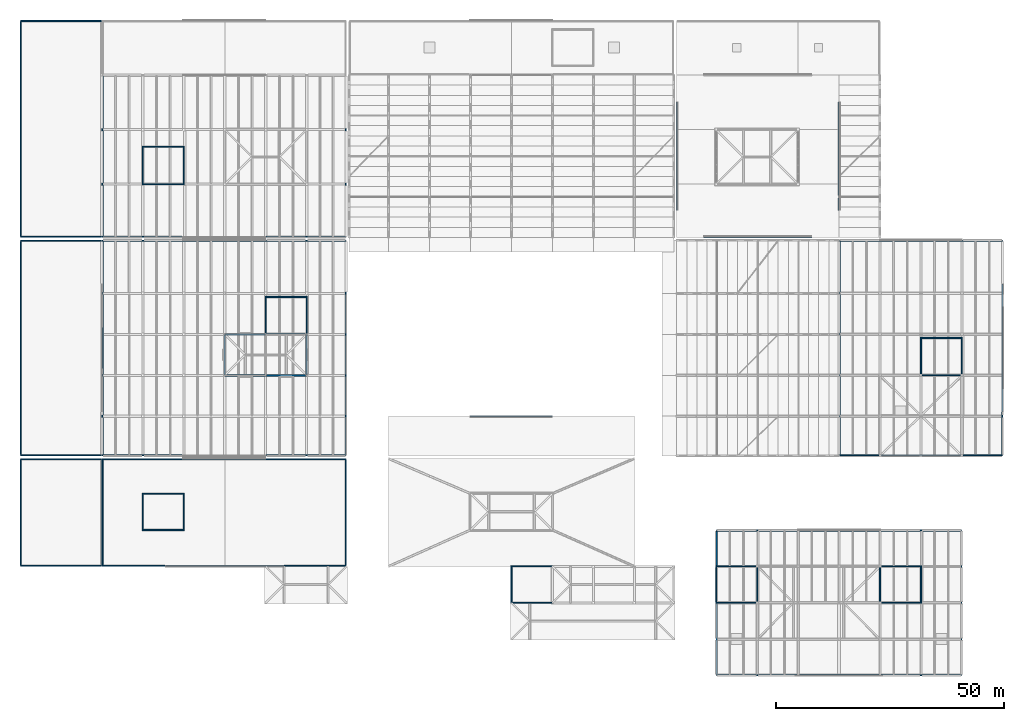
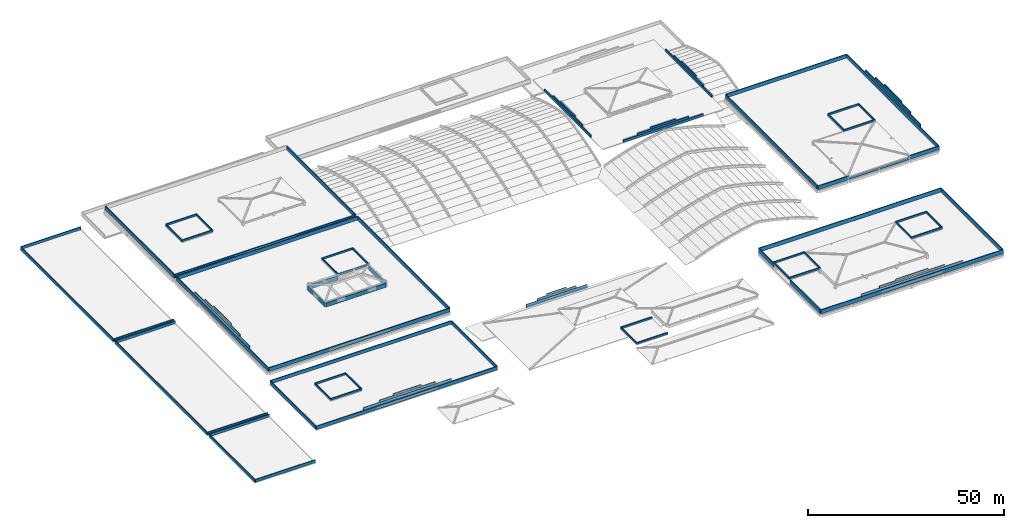
# One storey, part 54 of 56: 87 walls.
"""IFC4 building model written with IfcOpenShell, lengths in metres."""

import ifcopenshell
import ifcopenshell.guid

model = None  # the IFC model being written
_history = None  # IfcOwnerHistory: only IFC2X3 demands one
_inside = {}  # id of a spatial element -> (the spatial element, [elements in it])
_under = {}  # id of a project, library or spatial element -> (it, [spatial elements below it])
_declared = {}  # id of a project -> (the project, [libraries it declares])
_typed = {}  # id of a type object -> (the type object, [elements of that type])
_made_of = {}  # id of a material, layer set ... -> (it, [elements and type objects made of it])


def new_model(schema):
    """Start an empty IFC model of exactly this schema.

    Asked for "IFC4X3", IfcOpenShell would pick the latest addendum, in which some entities
    have other attributes; the version numbers below select the first issue.
    IFC2X3 requires an IfcOwnerHistory on every rooted entity: one is made here for all.
    """
    global model, _history
    if schema == "IFC4X3":
        model = ifcopenshell.file(schema_version=(4, 3, 0, 0))
    else:
        model = ifcopenshell.file(schema=schema)
    _inside.clear()
    _under.clear()
    _declared.clear()
    _typed.clear()
    _made_of.clear()
    _history = None
    if model.schema == "IFC2X3":
        org = make("IfcOrganization", Name="unknown")
        user = make(
            "IfcPersonAndOrganization",
            ThePerson=make("IfcPerson", FamilyName="unknown"),
            TheOrganization=org,
        )
        app = make(
            "IfcApplication",
            ApplicationDeveloper=org,
            Version="unknown",
            ApplicationFullName="unknown",
            ApplicationIdentifier="unknown",
        )
        _history = make(
            "IfcOwnerHistory",
            OwningUser=user,
            OwningApplication=app,
            ChangeAction="ADDED",
            CreationDate=0,
        )
    return model


def make(cls, **values):
    """One entity of the class cls with the attributes given. An attribute that is None is left unset."""
    return model.create_entity(
        cls, **{name: value for name, value in values.items() if value is not None}
    )


def rooted(cls, **values):
    """An entity with a GlobalId (a new one), such as an element, a storey or a relation."""
    return make(cls, GlobalId=ifcopenshell.guid.new(), OwnerHistory=_history, **values)


def si_unit(unit_type, name, prefix=None):
    """IfcSIUnit, for example si_unit("LENGTHUNIT", "METRE", prefix="MILLI")."""
    return make("IfcSIUnit", UnitType=unit_type, Prefix=prefix, Name=name)


def assignment(units):
    """IfcUnitAssignment: the units of a project."""
    return None if units is None else make("IfcUnitAssignment", Units=units)


def point(xyz):
    """IfcCartesianPoint."""
    return None if xyz is None else make("IfcCartesianPoint", Coordinates=xyz)


def direction(xyz):
    """IfcDirection."""
    return None if xyz is None else make("IfcDirection", DirectionRatios=xyz)


def frame(location, z_axis=None, x_axis=None):
    """IfcAxis2Placement3D, a coordinate frame: its origin and axes. An axis left out is left unset."""
    return make(
        "IfcAxis2Placement3D",
        Location=point(location),
        Axis=direction(z_axis),
        RefDirection=direction(x_axis),
    )


def frame_2d(location, x_axis=None):
    """IfcAxis2Placement2D, a coordinate frame in the plane: its origin and x axis."""
    return make(
        "IfcAxis2Placement2D", Location=point(location), RefDirection=direction(x_axis)
    )


def origin():
    """The frame at (0, 0, 0) with its axes left unset."""
    return frame((0.0, 0.0, 0.0))


def place(relative_to, where):
    """IfcLocalPlacement: puts the frame where relative to a parent placement (None: the world)."""
    return make(
        "IfcLocalPlacement", PlacementRelTo=relative_to, RelativePlacement=where
    )


def context(
    kind, dimensions, precision=None, world=None, true_north=None, identifier=None
):
    """IfcGeometricRepresentationContext, for example the 3D "Model" context."""
    return make(
        "IfcGeometricRepresentationContext",
        ContextIdentifier=identifier,
        ContextType=kind,
        CoordinateSpaceDimension=dimensions,
        Precision=precision,
        WorldCoordinateSystem=world,
        TrueNorth=true_north,
    )


def subcontext(parent, identifier, kind, view, scale=None):
    """IfcGeometricRepresentationSubContext, for example "Body" below "Model"."""
    return make(
        "IfcGeometricRepresentationSubContext",
        ContextIdentifier=identifier,
        ContextType=kind,
        ParentContext=parent,
        TargetScale=scale,
        TargetView=view,
    )


def project(units=None, contexts=None):
    """IfcProject with its units and contexts."""
    return rooted(
        "IfcProject",
        Name="project",
        RepresentationContexts=contexts,
        UnitsInContext=assignment(units),
    )


def spatial(cls, under=None, at=None, **own):
    """A site, building, storey or space (cls), placed at a placement, below another one or the project."""
    s = rooted(cls, ObjectPlacement=at, **own)
    if under is not None:
        _under.setdefault(under.id(), (under, []))[1].append(s)
    return s


def profile(cls, at=None, kind="AREA", **sizes):
    """A parametric profile (cls). Its sizes go by their IFC names, for example OverallWidth=200.0."""
    return make(cls, ProfileType=kind, Position=at, **sizes)


def rectangle(**sizes):
    """IfcRectangleProfileDef."""
    return profile("IfcRectangleProfileDef", **sizes)


def extrude(swept, where, along, depth):
    """IfcExtrudedAreaSolid: the profile swept, set in the frame where, extruded along a direction by depth."""
    return make(
        "IfcExtrudedAreaSolid",
        SweptArea=swept,
        Position=where,
        ExtrudedDirection=direction(along),
        Depth=depth,
    )


def shape(context_of_items, identifier, shape_type, items):
    """IfcShapeRepresentation: the items that make up one representation, for example the "Body"."""
    return make(
        "IfcShapeRepresentation",
        ContextOfItems=context_of_items,
        RepresentationIdentifier=identifier,
        RepresentationType=shape_type,
        Items=items,
    )


def material(Name=None, Category=None):
    """IfcMaterial."""
    return make("IfcMaterial", Name=Name, Category=Category)


def layer(
    of_material, thickness, ventilated=None, Name=None, Category=None, Priority=None
):
    """IfcMaterialLayer: one layer of a wall or slab, of a material (None: an air gap)."""
    return make(
        "IfcMaterialLayer",
        Material=of_material,
        LayerThickness=thickness,
        IsVentilated=ventilated,
        Name=Name,
        Category=Category,
        Priority=Priority,
    )


def layer_set(layers, Name=None):
    """IfcMaterialLayerSet."""
    return make("IfcMaterialLayerSet", MaterialLayers=layers, LayerSetName=Name)


def made_of(thing, what):
    """Note that an element or type object is made of a material, layer set ...; save() writes the relation."""
    if what is not None:
        _made_of.setdefault(what.id(), (what, []))[1].append(thing)
    return thing


def type_object(cls, material=None, **own):
    """A type object (cls), such as IfcWallType, which elements share."""
    return made_of(rooted(cls, **own), material)


def element(
    cls,
    number,
    at=None,
    inside=None,
    cuts=None,
    type_object=None,
    material=None,
    context=None,
    identifier="Body",
    shape_type=None,
    held_by="IfcProductDefinitionShape",
    body=None,
    shapes=None,
    **own,
):
    """One element of the class cls, such as IfcWall. Its Tag is "e" and its number.

    at: its placement. inside: the storey or other place that contains it. cuts: it is an
    opening in that element (IfcRelVoidsElement). A single representation is given by context,
    identifier, shape_type and body (its items); several are given by shapes. held_by: the class
    of the entity that holds the representations. save() writes the other relations.
    """
    e = rooted(cls, Tag="e%d" % number, ObjectPlacement=at, **own)
    if body is not None:
        shapes = [shape(context, identifier, shape_type, body)]
    if shapes is not None:
        e.Representation = make(held_by, Representations=shapes)
    if inside is not None:
        _inside.setdefault(inside.id(), (inside, []))[1].append(e)
    if cuts is not None:
        rooted(
            "IfcRelVoidsElement", RelatingBuildingElement=cuts, RelatedOpeningElement=e
        )
    if type_object is not None:
        _typed.setdefault(type_object.id(), (type_object, []))[1].append(e)
    return made_of(e, material)


def aggregate(whole, parts):
    """IfcRelAggregates: a whole, such as a stair, and the parts it consists of."""
    return rooted("IfcRelAggregates", RelatingObject=whole, RelatedObjects=parts)


def save(model, path):
    """Write the relations noted so far, then the file.

    IfcRelAggregates (storeys below a building ...), IfcRelContainedInSpatialStructure (elements
    in a storey), IfcRelDefinesByType, IfcRelAssociatesMaterial and IfcRelDeclares: one each for
    every whole, place, type object, material and project.
    """
    for whole, parts in _under.values():
        aggregate(whole, parts)
    for where, things in _inside.values():
        rooted(
            "IfcRelContainedInSpatialStructure",
            RelatedElements=things,
            RelatingStructure=where,
        )
    for kind, things in _typed.values():
        rooted("IfcRelDefinesByType", RelatedObjects=things, RelatingType=kind)
    for what, things in _made_of.values():
        rooted("IfcRelAssociatesMaterial", RelatedObjects=things, RelatingMaterial=what)
    for by, libraries in _declared.values():
        rooted("IfcRelDeclares", RelatingContext=by, RelatedDefinitions=libraries)
    model.write(path)


model = new_model("IFC4")

# Units and contexts
model_context = context("Model", 3, precision=1e-05, world=origin(), true_north=direction((0.0, 1.0)))
body_context = subcontext(model_context, "Body", "Model", "MODEL_VIEW")
ifc_project = project(units=[si_unit("LENGTHUNIT", "METRE"), si_unit("AREAUNIT", "SQUARE_METRE"), si_unit("VOLUMEUNIT", "CUBIC_METRE"), si_unit("PLANEANGLEUNIT", "RADIAN"), si_unit("MASSUNIT", "GRAM", prefix="KILO")], contexts=[model_context])

# Site, building, storey
site_placement = place(None, origin())
site = spatial("IfcSite", under=ifc_project, at=site_placement, CompositionType="ELEMENT")
building_placement = place(site_placement, origin())
building = spatial("IfcBuilding", under=site, at=building_placement, Name="Zacnel Wholesale Market", CompositionType="ELEMENT")
storey_placement = place(building_placement, frame((0.0, 0.0, 20.300048828125)))
storey = spatial("IfcBuildingStorey", under=building, at=storey_placement, Name="RF", CompositionType="ELEMENT", Elevation=20.300048828125)

# Walls
ifc_material_1 = material(Name="Concrete C40/50", Category="concrete")
ifc_layer_1 = layer(ifc_material_1, 0.25)
ifc_layer_set_1 = layer_set([ifc_layer_1], Name="Concrete C40/50")
wall_type_1 = type_object("IfcWallType", Name="WL-CORE-SW250", PredefinedType="SOLIDWALL", material=ifc_layer_set_1)
for number, where, z_axis, x_axis, name in (
    (1, (152.875, 16.0, 1.25), (0.0, 0.0, 1.0), (1.0, 0.0, 0.0), "Core C1 Mayan-Deco bulkhead crown S"),
    (2, (152.875, 24.0, 1.25), (0.0, 0.0, 1.0), (1.0, 0.0, 0.0), "Core C1 Mayan-Deco bulkhead crown N"),
):
    element("IfcWall", number, at=place(storey_placement, frame(where, z_axis=z_axis, x_axis=x_axis)), inside=storey, type_object=wall_type_1, Name=name, PredefinedType="SOLIDWALL", context=body_context, shape_type="SweptSolid", body=[
        extrude(rectangle(XDim=9.25, YDim=0.25, at=frame_2d((4.625, 0.0))), origin(), (0.0, 0.0, 1.0), 0.550048828125),
    ])
for number, where, z_axis, x_axis, name in (
    (3, (153.0, 16.125, 1.25), (0.0, 0.0, 1.0), (0.0, 1.0, 0.0), "Core C1 Mayan-Deco bulkhead crown W"),
    (4, (162.0, 16.125, 1.25), (0.0, 0.0, 1.0), (0.0, 1.0, 0.0), "Core C1 Mayan-Deco bulkhead crown E"),
):
    element("IfcWall", number, at=place(storey_placement, frame(where, z_axis=z_axis, x_axis=x_axis)), inside=storey, type_object=wall_type_1, Name=name, PredefinedType="SOLIDWALL", context=body_context, shape_type="SweptSolid", body=[
        extrude(rectangle(XDim=7.75, YDim=0.25, at=frame_2d((3.875, 0.0))), origin(), (0.0, 0.0, 1.0), 0.550048828125),
    ])
for number, where, z_axis, x_axis, name in (
    (5, (188.875, 16.0, 1.25), (0.0, 0.0, 1.0), (1.0, 0.0, 0.0), "Core C2 Mayan-Deco bulkhead crown S"),
    (6, (188.875, 24.0, 1.25), (0.0, 0.0, 1.0), (1.0, 0.0, 0.0), "Core C2 Mayan-Deco bulkhead crown N"),
):
    element("IfcWall", number, at=place(storey_placement, frame(where, z_axis=z_axis, x_axis=x_axis)), inside=storey, type_object=wall_type_1, Name=name, PredefinedType="SOLIDWALL", context=body_context, shape_type="SweptSolid", body=[
        extrude(rectangle(XDim=9.25, YDim=0.25, at=frame_2d((4.625, 0.0))), origin(), (0.0, 0.0, 1.0), 0.550048828125),
    ])
for number, where, z_axis, x_axis, name in (
    (7, (189.0, 16.125, 1.25), (0.0, 0.0, 1.0), (0.0, 1.0, 0.0), "Core C2 Mayan-Deco bulkhead crown W"),
    (8, (198.0, 16.125, 1.25), (0.0, 0.0, 1.0), (0.0, 1.0, 0.0), "Core C2 Mayan-Deco bulkhead crown E"),
):
    element("IfcWall", number, at=place(storey_placement, frame(where, z_axis=z_axis, x_axis=x_axis)), inside=storey, type_object=wall_type_1, Name=name, PredefinedType="SOLIDWALL", context=body_context, shape_type="SweptSolid", body=[
        extrude(rectangle(XDim=7.75, YDim=0.25, at=frame_2d((3.875, 0.0))), origin(), (0.0, 0.0, 1.0), 0.550048828125),
    ])
for number, where, z_axis, x_axis, name in (
    (9, (26.875, 32.0, -2.10009765625), (0.0, 0.0, 1.0), (1.0, 0.0, 0.0), "Core C3 Mayan-Deco bulkhead crown S"),
    (10, (26.875, 40.0, -2.10009765625), (0.0, 0.0, 1.0), (1.0, 0.0, 0.0), "Core C3 Mayan-Deco bulkhead crown N"),
):
    element("IfcWall", number, at=place(storey_placement, frame(where, z_axis=z_axis, x_axis=x_axis)), inside=storey, type_object=wall_type_1, Name=name, PredefinedType="SOLIDWALL", context=body_context, shape_type="SweptSolid", body=[
        extrude(rectangle(XDim=9.25, YDim=0.25, at=frame_2d((4.625, 0.0))), origin(), (0.0, 0.0, 1.0), 0.550048828125),
    ])
for number, where, z_axis, x_axis, name in (
    (11, (27.0, 32.125, -2.10009765625), (0.0, 0.0, 1.0), (0.0, 1.0, 0.0), "Core C3 Mayan-Deco bulkhead crown W"),
    (12, (36.0, 32.125, -2.10009765625), (0.0, 0.0, 1.0), (0.0, 1.0, 0.0), "Core C3 Mayan-Deco bulkhead crown E"),
):
    element("IfcWall", number, at=place(storey_placement, frame(where, z_axis=z_axis, x_axis=x_axis)), inside=storey, type_object=wall_type_1, Name=name, PredefinedType="SOLIDWALL", context=body_context, shape_type="SweptSolid", body=[
        extrude(rectangle(XDim=7.75, YDim=0.25, at=frame_2d((3.875, 0.0))), origin(), (0.0, 0.0, 1.0), 0.550048828125),
    ])
for number, where, z_axis, x_axis, name in (
    (13, (53.875, 75.0, 1.25), (0.0, 0.0, 1.0), (1.0, 0.0, 0.0), "Core C4 Mayan-Deco bulkhead crown S"),
    (14, (53.875, 83.199951171875, 1.25), (0.0, 0.0, 1.0), (1.0, 0.0, 0.0), "Core C4 Mayan-Deco bulkhead crown N"),
):
    element("IfcWall", number, at=place(storey_placement, frame(where, z_axis=z_axis, x_axis=x_axis)), inside=storey, type_object=wall_type_1, Name=name, PredefinedType="SOLIDWALL", context=body_context, shape_type="SweptSolid", body=[
        extrude(rectangle(XDim=9.25, YDim=0.25, at=frame_2d((4.625, 0.0))), origin(), (0.0, 0.0, 1.0), 0.550048828125),
    ])
for number, where, z_axis, x_axis, name in (
    (15, (54.0, 75.125, 1.25), (0.0, 0.0, 1.0), (0.0, 1.0, 0.0), "Core C4 Mayan-Deco bulkhead crown W"),
    (16, (63.0, 75.125, 1.25), (0.0, 0.0, 1.0), (0.0, 1.0, 0.0), "Core C4 Mayan-Deco bulkhead crown E"),
):
    element("IfcWall", number, at=place(storey_placement, frame(where, z_axis=z_axis, x_axis=x_axis)), inside=storey, type_object=wall_type_1, Name=name, PredefinedType="SOLIDWALL", context=body_context, shape_type="SweptSolid", body=[
        extrude(rectangle(XDim=7.949951171875, YDim=0.25, at=frame_2d((3.97509765625, 0.0))), origin(), (0.0, 0.0, 1.0), 0.550048828125),
    ])
for number, where, z_axis, x_axis, name in (
    (17, (26.875, 108.0, 1.25), (0.0, 0.0, 1.0), (1.0, 0.0, 0.0), "Core C5 Mayan-Deco bulkhead crown S"),
    (18, (26.875, 116.199951171875, 1.25), (0.0, 0.0, 1.0), (1.0, 0.0, 0.0), "Core C5 Mayan-Deco bulkhead crown N"),
):
    element("IfcWall", number, at=place(storey_placement, frame(where, z_axis=z_axis, x_axis=x_axis)), inside=storey, type_object=wall_type_1, Name=name, PredefinedType="SOLIDWALL", context=body_context, shape_type="SweptSolid", body=[
        extrude(rectangle(XDim=9.25, YDim=0.25, at=frame_2d((4.625, 0.0))), origin(), (0.0, 0.0, 1.0), 0.550048828125),
    ])
for number, where, z_axis, x_axis, name in (
    (19, (27.0, 108.125, 1.25), (0.0, 0.0, 1.0), (0.0, 1.0, 0.0), "Core C5 Mayan-Deco bulkhead crown W"),
    (20, (36.0, 108.125, 1.25), (0.0, 0.0, 1.0), (0.0, 1.0, 0.0), "Core C5 Mayan-Deco bulkhead crown E"),
):
    element("IfcWall", number, at=place(storey_placement, frame(where, z_axis=z_axis, x_axis=x_axis)), inside=storey, type_object=wall_type_1, Name=name, PredefinedType="SOLIDWALL", context=body_context, shape_type="SweptSolid", body=[
        extrude(rectangle(XDim=7.949951171875, YDim=0.25, at=frame_2d((3.97509765625, 0.0))), origin(), (0.0, 0.0, 1.0), 0.550048828125),
    ])
for number, where, z_axis, x_axis, name in (
    (21, (197.875, 66.0, 1.25), (0.0, 0.0, 1.0), (1.0, 0.0, 0.0), "Core C7 Mayan-Deco bulkhead crown S"),
    (22, (197.875, 74.199951171875, 1.25), (0.0, 0.0, 1.0), (1.0, 0.0, 0.0), "Core C7 Mayan-Deco bulkhead crown N"),
):
    element("IfcWall", number, at=place(storey_placement, frame(where, z_axis=z_axis, x_axis=x_axis)), inside=storey, type_object=wall_type_1, Name=name, PredefinedType="SOLIDWALL", context=body_context, shape_type="SweptSolid", body=[
        extrude(rectangle(XDim=9.25, YDim=0.25, at=frame_2d((4.625, 0.0))), origin(), (0.0, 0.0, 1.0), 0.550048828125),
    ])
for number, where, z_axis, x_axis, name in (
    (23, (198.0, 66.125, 1.25), (0.0, 0.0, 1.0), (0.0, 1.0, 0.0), "Core C7 Mayan-Deco bulkhead crown W"),
    (24, (207.0, 66.125, 1.25), (0.0, 0.0, 1.0), (0.0, 1.0, 0.0), "Core C7 Mayan-Deco bulkhead crown E"),
):
    element("IfcWall", number, at=place(storey_placement, frame(where, z_axis=z_axis, x_axis=x_axis)), inside=storey, type_object=wall_type_1, Name=name, PredefinedType="SOLIDWALL", context=body_context, shape_type="SweptSolid", body=[
        extrude(rectangle(XDim=7.949951171875, YDim=0.25, at=frame_2d((3.97509765625, 0.0))), origin(), (0.0, 0.0, 1.0), 0.550048828125),
    ])
for number, where, z_axis, x_axis, name in (
    (25, (107.875, 16.0, -3.300048828125), (0.0, 0.0, 1.0), (1.0, 0.0, 0.0), "Core C8 Mayan-Deco bulkhead crown S"),
    (26, (107.875, 24.0, -3.300048828125), (0.0, 0.0, 1.0), (1.0, 0.0, 0.0), "Core C8 Mayan-Deco bulkhead crown N"),
):
    element("IfcWall", number, at=place(storey_placement, frame(where, z_axis=z_axis, x_axis=x_axis)), inside=storey, type_object=wall_type_1, Name=name, PredefinedType="SOLIDWALL", context=body_context, shape_type="SweptSolid", body=[
        extrude(rectangle(XDim=9.25, YDim=0.25, at=frame_2d((4.625, 0.0))), origin(), (0.0, 0.0, 1.0), 0.550048828125),
    ])
wall_1_placement = place(storey_placement, frame((108.0, 16.125, -3.300048828125), z_axis=(0.0, 0.0, 1.0), x_axis=(0.0, 1.0, 0.0)))
element("IfcWall", 27, at=wall_1_placement, inside=storey, type_object=wall_type_1, Name="Core C8 Mayan-Deco bulkhead crown W", PredefinedType="SOLIDWALL", context=body_context, shape_type="SweptSolid", body=[
    extrude(rectangle(XDim=7.75, YDim=0.25, at=frame_2d((3.875, 0.0))), origin(), (0.0, 0.0, 1.0), 0.550048828125),
])
ifc_material_2 = material(Name="Precast concrete C40/50 (insulated sandwich panel)", Category="concrete")
ifc_layer_2 = layer(ifc_material_2, 0.320068359375)
ifc_layer_set_2 = layer_set([ifc_layer_2], Name="Precast concrete C40/50 (insulated sandwich panel)")
wall_type_2 = type_object("IfcWallType", Name="WL-EXT-COLD-320", PredefinedType="SOLIDWALL", material=ifc_layer_set_2)
for number, where, z_axis, x_axis, name in (
    (28, (45.125, 66.0, 0.0), (0.0, 0.0, 1.0), (1.0, 0.0, 0.0), "Refrigeration penthouse enclosure wall S1"),
    (29, (54.125, 66.0, 0.0), (0.0, 0.0, 1.0), (1.0, 0.0, 0.0), "Refrigeration penthouse enclosure wall S2"),
    (30, (45.125, 75.0, 0.0), (0.0, 0.0, 1.0), (1.0, 0.0, 0.0), "Refrigeration penthouse enclosure wall N1"),
    (31, (45.0, 66.125, 0.0), (0.0, 0.0, 1.0), (0.0, 1.0, 0.0), "Refrigeration penthouse enclosure wall W1"),
    (32, (63.0, 66.125, 0.0), (0.0, 0.0, 1.0), (0.0, 1.0, 0.0), "Refrigeration penthouse enclosure wall E1"),
):
    element("IfcWall", number, at=place(storey_placement, frame(where, z_axis=z_axis, x_axis=x_axis)), inside=storey, type_object=wall_type_2, Name=name, PredefinedType="SOLIDWALL", context=body_context, shape_type="SweptSolid", body=[
        extrude(rectangle(XDim=8.75, YDim=0.320068359375, at=frame_2d((4.375, 0.0))), origin(), (0.0, 0.0, 1.0), 1.303466796875),
    ])
ifc_material_3 = material(Name="Precast concrete C40/50 (Cancun limestone aggregate)", Category="masonry")
ifc_layer_3 = layer(ifc_material_3, 0.25)
ifc_layer_set_3 = layer_set([ifc_layer_3], Name="Precast concrete C40/50 (Cancun limestone aggregate)")
wall_type_3 = type_object("IfcWallType", Name="WL-PAR-ZIG-250", PredefinedType="PARAPET", material=ifc_layer_set_3)
wall_2_placement = place(storey_placement, frame((99.0, 57.0, -13.760009765625), z_axis=(0.0, 0.0, 1.0), x_axis=(1.0, 0.0, 0.0)))
element("IfcWall", 33, at=wall_2_placement, inside=storey, type_object=wall_type_3, Name="Mayan-Art-Deco stepped portal crown ENV-V2PORT-1", PredefinedType="PARAPET", context=body_context, shape_type="SweptSolid", body=[
    extrude(rectangle(XDim=18.0, YDim=0.25, at=frame_2d((9.0, 0.0))), origin(), (0.0, 0.0, 1.0), 1.10986328125),
])
wall_3_placement = place(storey_placement, frame((102.239990234375, 57.0, -12.650146484375), z_axis=(0.0, 0.0, 1.0), x_axis=(1.0, 0.0, 0.0)))
element("IfcWall", 34, at=wall_3_placement, inside=storey, type_object=wall_type_3, Name="Mayan-Art-Deco stepped portal crown ENV-V2PORT-2", PredefinedType="PARAPET", context=body_context, shape_type="SweptSolid", body=[
    extrude(rectangle(XDim=11.52001953125, YDim=0.25, at=frame_2d((5.760009765625, 0.0))), origin(), (0.0, 0.0, 1.0), 0.7001953125),
])
wall_4_placement = place(storey_placement, frame((105.1201171875, 57.0, -11.949951171875), z_axis=(0.0, 0.0, 1.0), x_axis=(1.0, 0.0, 0.0)))
element("IfcWall", 35, at=wall_4_placement, inside=storey, type_object=wall_type_3, Name="Mayan-Art-Deco stepped portal crown ENV-V2PORT-3", PredefinedType="PARAPET", context=body_context, shape_type="SweptSolid", body=[
    extrude(rectangle(XDim=5.759765625, YDim=0.25, at=frame_2d((2.8798828125, 0.0))), origin(), (0.0, 0.0, 1.0), 0.5498046875),
])
wall_5_placement = place(storey_placement, frame((150.300048828125, 96.300048828125, -3.900146484375), z_axis=(0.0, 0.0, 1.0), x_axis=(1.0, 0.0, 0.0)))
element("IfcWall", 36, at=wall_5_placement, inside=storey, type_object=wall_type_3, Name="Mayan-Art-Deco stepped portal crown ENV-XDRUM-CRN-S-1", PredefinedType="PARAPET", context=body_context, shape_type="SweptSolid", body=[
    extrude(rectangle(XDim=23.699951171875, YDim=0.25, at=frame_2d((11.85009765625, 0.0))), origin(), (0.0, 0.0, 1.0), 0.75),
])
wall_6_placement = place(storey_placement, frame((154.56591796875, 96.300048828125, -3.150146484375), z_axis=(0.0, 0.0, 1.0), x_axis=(1.0, 0.0, 0.0)))
element("IfcWall", 37, at=wall_6_placement, inside=storey, type_object=wall_type_3, Name="Mayan-Art-Deco stepped portal crown ENV-XDRUM-CRN-S-2", PredefinedType="PARAPET", context=body_context, shape_type="SweptSolid", body=[
    extrude(rectangle(XDim=15.16796875, YDim=0.25, at=frame_2d((7.583984375, 0.0))), origin(), (0.0, 0.0, 1.0), 0.650146484375),
])
wall_7_placement = place(storey_placement, frame((158.35791015625, 96.300048828125, -2.5), z_axis=(0.0, 0.0, 1.0), x_axis=(1.0, 0.0, 0.0)))
element("IfcWall", 38, at=wall_7_placement, inside=storey, type_object=wall_type_3, Name="Mayan-Art-Deco stepped portal crown ENV-XDRUM-CRN-S-3", PredefinedType="PARAPET", context=body_context, shape_type="SweptSolid", body=[
    extrude(rectangle(XDim=7.583984375, YDim=0.25, at=frame_2d((3.7919921875, 0.0))), origin(), (0.0, 0.0, 1.0), 0.550048828125),
])
wall_8_placement = place(storey_placement, frame((144.300048828125, 102.300048828125, -3.900146484375), z_axis=(0.0, 0.0, 1.0), x_axis=(0.0, 1.0, 0.0)))
element("IfcWall", 39, at=wall_8_placement, inside=storey, type_object=wall_type_3, Name="Mayan-Art-Deco stepped portal crown ENV-XDRUM-CRN-W-1", PredefinedType="PARAPET", context=body_context, shape_type="SweptSolid", body=[
    extrude(rectangle(XDim=23.699951171875, YDim=0.25, at=frame_2d((11.85009765625, 0.0))), origin(), (0.0, 0.0, 1.0), 0.75),
])
wall_9_placement = place(storey_placement, frame((144.300048828125, 106.56591796875, -3.150146484375), z_axis=(0.0, 0.0, 1.0), x_axis=(0.0, 1.0, 0.0)))
element("IfcWall", 40, at=wall_9_placement, inside=storey, type_object=wall_type_3, Name="Mayan-Art-Deco stepped portal crown ENV-XDRUM-CRN-W-2", PredefinedType="PARAPET", context=body_context, shape_type="SweptSolid", body=[
    extrude(rectangle(XDim=15.16796875, YDim=0.25, at=frame_2d((7.583984375, 0.0))), origin(), (0.0, 0.0, 1.0), 0.650146484375),
])
wall_10_placement = place(storey_placement, frame((144.300048828125, 110.35791015625, -2.5), z_axis=(0.0, 0.0, 1.0), x_axis=(0.0, 1.0, 0.0)))
element("IfcWall", 41, at=wall_10_placement, inside=storey, type_object=wall_type_3, Name="Mayan-Art-Deco stepped portal crown ENV-XDRUM-CRN-W-3", PredefinedType="PARAPET", context=body_context, shape_type="SweptSolid", body=[
    extrude(rectangle(XDim=7.583984375, YDim=0.25, at=frame_2d((3.7919921875, 0.0))), origin(), (0.0, 0.0, 1.0), 0.550048828125),
])
wall_11_placement = place(storey_placement, frame((180.0, 102.300048828125, -3.900146484375), z_axis=(0.0, 0.0, 1.0), x_axis=(0.0, 1.0, 0.0)))
element("IfcWall", 42, at=wall_11_placement, inside=storey, type_object=wall_type_3, Name="Mayan-Art-Deco stepped portal crown ENV-XDRUM-CRN-E-1", PredefinedType="PARAPET", context=body_context, shape_type="SweptSolid", body=[
    extrude(rectangle(XDim=23.699951171875, YDim=0.25, at=frame_2d((11.85009765625, 0.0))), origin(), (0.0, 0.0, 1.0), 0.75),
])
wall_12_placement = place(storey_placement, frame((180.0, 106.56591796875, -3.150146484375), z_axis=(0.0, 0.0, 1.0), x_axis=(0.0, 1.0, 0.0)))
element("IfcWall", 43, at=wall_12_placement, inside=storey, type_object=wall_type_3, Name="Mayan-Art-Deco stepped portal crown ENV-XDRUM-CRN-E-2", PredefinedType="PARAPET", context=body_context, shape_type="SweptSolid", body=[
    extrude(rectangle(XDim=15.16796875, YDim=0.25, at=frame_2d((7.583984375, 0.0))), origin(), (0.0, 0.0, 1.0), 0.650146484375),
])
wall_13_placement = place(storey_placement, frame((180.0, 110.35791015625, -2.5), z_axis=(0.0, 0.0, 1.0), x_axis=(0.0, 1.0, 0.0)))
element("IfcWall", 44, at=wall_13_placement, inside=storey, type_object=wall_type_3, Name="Mayan-Art-Deco stepped portal crown ENV-XDRUM-CRN-E-3", PredefinedType="PARAPET", context=body_context, shape_type="SweptSolid", body=[
    extrude(rectangle(XDim=7.583984375, YDim=0.25, at=frame_2d((3.7919921875, 0.0))), origin(), (0.0, 0.0, 1.0), 0.550048828125),
])
for number, where, z_axis, x_axis, name in (
    (45, (0.125, 24.125, -13.5), (0.0, 0.0, 1.0), (1.0, 0.0, 0.0), "Stepped ziggurat roof parapet 001-1"),
    (46, (0.125, 47.574951171875, -13.5), (0.0, 0.0, 1.0), (1.0, 0.0, 0.0), "Stepped ziggurat roof parapet 001-2"),
):
    element("IfcWall", number, at=place(storey_placement, frame(where, z_axis=z_axis, x_axis=x_axis)), inside=storey, type_object=wall_type_3, Name=name, PredefinedType="PARAPET", context=body_context, shape_type="SweptSolid", body=[
        extrude(rectangle(XDim=17.75, YDim=0.25, at=frame_2d((8.875, 0.0))), origin(), (0.0, 0.0, 1.0), 0.849853515625),
    ])
wall_14_placement = place(storey_placement, frame((0.125, 24.300048828125, -13.5), z_axis=(0.0, 0.0, 1.0), x_axis=(0.0, 1.0, 0.0)))
element("IfcWall", 47, at=wall_14_placement, inside=storey, type_object=wall_type_3, Name="Stepped ziggurat roof parapet 001-3", PredefinedType="PARAPET", context=body_context, shape_type="SweptSolid", body=[
    extrude(rectangle(XDim=23.099853515625, YDim=0.25, at=frame_2d((11.5498046875, 0.0))), origin(), (0.0, 0.0, 1.0), 0.849853515625),
])
for number, where, z_axis, x_axis, name in (
    (48, (0.125, 48.425048828125, -13.5), (0.0, 0.0, 1.0), (1.0, 0.0, 0.0), "Stepped ziggurat roof parapet 002-1"),
    (49, (0.125, 95.574951171875, -13.5), (0.0, 0.0, 1.0), (1.0, 0.0, 0.0), "Stepped ziggurat roof parapet 002-2"),
):
    element("IfcWall", number, at=place(storey_placement, frame(where, z_axis=z_axis, x_axis=x_axis)), inside=storey, type_object=wall_type_3, Name=name, PredefinedType="PARAPET", context=body_context, shape_type="SweptSolid", body=[
        extrude(rectangle(XDim=17.75, YDim=0.25, at=frame_2d((8.875, 0.0))), origin(), (0.0, 0.0, 1.0), 0.849853515625),
    ])
wall_15_placement = place(storey_placement, frame((0.125, 48.60009765625, -13.5), z_axis=(0.0, 0.0, 1.0), x_axis=(0.0, 1.0, 0.0)))
element("IfcWall", 50, at=wall_15_placement, inside=storey, type_object=wall_type_3, Name="Stepped ziggurat roof parapet 002-3", PredefinedType="PARAPET", context=body_context, shape_type="SweptSolid", body=[
    extrude(rectangle(XDim=46.7998046875, YDim=0.25, at=frame_2d((23.39990234375, 0.0))), origin(), (0.0, 0.0, 1.0), 0.849853515625),
])
for number, where, z_axis, x_axis, name in (
    (51, (0.125, 96.425048828125, -13.5), (0.0, 0.0, 1.0), (1.0, 0.0, 0.0), "Stepped ziggurat roof parapet 003-1"),
    (52, (0.125, 143.875, -13.5), (0.0, 0.0, 1.0), (1.0, 0.0, 0.0), "Stepped ziggurat roof parapet 003-2"),
):
    element("IfcWall", number, at=place(storey_placement, frame(where, z_axis=z_axis, x_axis=x_axis)), inside=storey, type_object=wall_type_3, Name=name, PredefinedType="PARAPET", context=body_context, shape_type="SweptSolid", body=[
        extrude(rectangle(XDim=17.75, YDim=0.25, at=frame_2d((8.875, 0.0))), origin(), (0.0, 0.0, 1.0), 0.849853515625),
    ])
wall_16_placement = place(storey_placement, frame((0.125, 96.60009765625, -13.5), z_axis=(0.0, 0.0, 1.0), x_axis=(0.0, 1.0, 0.0)))
element("IfcWall", 53, at=wall_16_placement, inside=storey, type_object=wall_type_3, Name="Stepped ziggurat roof parapet 003-3", PredefinedType="PARAPET", context=body_context, shape_type="SweptSolid", body=[
    extrude(rectangle(XDim=47.099853515625, YDim=0.25, at=frame_2d((23.5498046875, 0.0))), origin(), (0.0, 0.0, 1.0), 0.849853515625),
])
for number, where, z_axis, x_axis, name in (
    (54, (18.125, 24.125, -3.35009765625), (0.0, 0.0, 1.0), (1.0, 0.0, 0.0), "Stepped ziggurat roof parapet 005-1"),
    (55, (18.125, 47.574951171875, -3.35009765625), (0.0, 0.0, 1.0), (1.0, 0.0, 0.0), "Stepped ziggurat roof parapet 005-2"),
):
    element("IfcWall", number, at=place(storey_placement, frame(where, z_axis=z_axis, x_axis=x_axis)), inside=storey, type_object=wall_type_3, Name=name, PredefinedType="PARAPET", context=body_context, shape_type="SweptSolid", body=[
        extrude(rectangle(XDim=53.449951171875, YDim=0.25, at=frame_2d((26.72509765625, 0.0))), origin(), (0.0, 0.0, 1.0), 1.050048828125),
    ])
for number, where, z_axis, x_axis, name in (
    (56, (18.125, 24.300048828125, -3.35009765625), (0.0, 0.0, 1.0), (0.0, 1.0, 0.0), "Stepped ziggurat roof parapet 005-3"),
    (57, (71.574951171875, 24.300048828125, -3.35009765625), (0.0, 0.0, 1.0), (0.0, 1.0, 0.0), "Stepped ziggurat roof parapet 005-4"),
):
    element("IfcWall", number, at=place(storey_placement, frame(where, z_axis=z_axis, x_axis=x_axis)), inside=storey, type_object=wall_type_3, Name=name, PredefinedType="PARAPET", context=body_context, shape_type="SweptSolid", body=[
        extrude(rectangle(XDim=23.099853515625, YDim=0.25, at=frame_2d((11.5498046875, 0.0))), origin(), (0.0, 0.0, 1.0), 1.050048828125),
    ])
for number, where, z_axis, x_axis, name in (
    (58, (18.125, 48.425048828125, 0.0), (0.0, 0.0, 1.0), (1.0, 0.0, 0.0), "Stepped ziggurat roof parapet 006-1"),
    (59, (18.125, 95.574951171875, 0.0), (0.0, 0.0, 1.0), (1.0, 0.0, 0.0), "Stepped ziggurat roof parapet 006-2"),
):
    element("IfcWall", number, at=place(storey_placement, frame(where, z_axis=z_axis, x_axis=x_axis)), inside=storey, type_object=wall_type_3, Name=name, PredefinedType="PARAPET", context=body_context, shape_type="SweptSolid", body=[
        extrude(rectangle(XDim=53.449951171875, YDim=0.25, at=frame_2d((26.72509765625, 0.0))), origin(), (0.0, 0.0, 1.0), 1.14990234375),
    ])
for number, where, z_axis, x_axis, name in (
    (60, (18.125, 48.60009765625, 0.0), (0.0, 0.0, 1.0), (0.0, 1.0, 0.0), "Stepped ziggurat roof parapet 006-3"),
    (61, (71.574951171875, 48.60009765625, 0.0), (0.0, 0.0, 1.0), (0.0, 1.0, 0.0), "Stepped ziggurat roof parapet 006-4"),
):
    element("IfcWall", number, at=place(storey_placement, frame(where, z_axis=z_axis, x_axis=x_axis)), inside=storey, type_object=wall_type_3, Name=name, PredefinedType="PARAPET", context=body_context, shape_type="SweptSolid", body=[
        extrude(rectangle(XDim=46.7998046875, YDim=0.25, at=frame_2d((23.39990234375, 0.0))), origin(), (0.0, 0.0, 1.0), 1.14990234375),
    ])
wall_17_placement = place(storey_placement, frame((18.125, 96.425048828125, 0.0), z_axis=(0.0, 0.0, 1.0), x_axis=(1.0, 0.0, 0.0)))
element("IfcWall", 62, at=wall_17_placement, inside=storey, type_object=wall_type_3, Name="Stepped ziggurat roof parapet 007-1", PredefinedType="PARAPET", context=body_context, shape_type="SweptSolid", body=[
    extrude(rectangle(XDim=53.449951171875, YDim=0.25, at=frame_2d((26.72509765625, 0.0))), origin(), (0.0, 0.0, 1.0), 1.14990234375),
])
for number, where, z_axis, x_axis, name in (
    (63, (18.125, 96.60009765625, 0.0), (0.0, 0.0, 1.0), (0.0, 1.0, 0.0), "Stepped ziggurat roof parapet 007-3"),
    (64, (71.574951171875, 96.60009765625, 0.0), (0.0, 0.0, 1.0), (0.0, 1.0, 0.0), "Stepped ziggurat roof parapet 007-4"),
):
    element("IfcWall", number, at=place(storey_placement, frame(where, z_axis=z_axis, x_axis=x_axis)), inside=storey, type_object=wall_type_3, Name=name, PredefinedType="PARAPET", context=body_context, shape_type="SweptSolid", body=[
        extrude(rectangle(XDim=35.099853515625, YDim=0.25, at=frame_2d((17.5498046875, 0.0))), origin(), (0.0, 0.0, 1.0), 1.14990234375),
    ])
for number, where, z_axis, x_axis, name in (
    (65, (153.125, 0.125, 0.0), (0.0, 0.0, 1.0), (1.0, 0.0, 0.0), "Stepped ziggurat roof parapet 008-1"),
    (66, (153.125, 31.875, 0.0), (0.0, 0.0, 1.0), (1.0, 0.0, 0.0), "Stepped ziggurat roof parapet 008-2"),
):
    element("IfcWall", number, at=place(storey_placement, frame(where, z_axis=z_axis, x_axis=x_axis)), inside=storey, type_object=wall_type_3, Name=name, PredefinedType="PARAPET", context=body_context, shape_type="SweptSolid", body=[
        extrude(rectangle(XDim=53.75, YDim=0.25, at=frame_2d((26.875, 0.0))), origin(), (0.0, 0.0, 1.0), 1.25),
    ])
wall_18_placement = place(storey_placement, frame((153.125, 0.300048828125, 0.0), z_axis=(0.0, 0.0, 1.0), x_axis=(0.0, 1.0, 0.0)))
element("IfcWall", 67, at=wall_18_placement, inside=storey, type_object=wall_type_3, Name="Stepped ziggurat roof parapet 008-31", PredefinedType="PARAPET", context=body_context, shape_type="SweptSolid", body=[
    extrude(rectangle(XDim=15.5, YDim=0.25, at=frame_2d((7.75, 0.0))), origin(), (0.0, 0.0, 1.0), 1.25),
])
wall_19_placement = place(storey_placement, frame((153.125, 24.199951171875, 0.0), z_axis=(0.0, 0.0, 1.0), x_axis=(0.0, 1.0, 0.0)))
element("IfcWall", 68, at=wall_19_placement, inside=storey, type_object=wall_type_3, Name="Stepped ziggurat roof parapet 008-32", PredefinedType="PARAPET", context=body_context, shape_type="SweptSolid", body=[
    extrude(rectangle(XDim=7.5, YDim=0.25, at=frame_2d((3.75, 0.0))), origin(), (0.0, 0.0, 1.0), 1.25),
])
wall_20_placement = place(storey_placement, frame((206.875, 0.300048828125, 0.0), z_axis=(0.0, 0.0, 1.0), x_axis=(0.0, 1.0, 0.0)))
element("IfcWall", 69, at=wall_20_placement, inside=storey, type_object=wall_type_3, Name="Stepped ziggurat roof parapet 008-4", PredefinedType="PARAPET", context=body_context, shape_type="SweptSolid", body=[
    extrude(rectangle(XDim=31.39990234375, YDim=0.25, at=frame_2d((15.699951171875, 0.0))), origin(), (0.0, 0.0, 1.0), 1.25),
])
wall_21_placement = place(storey_placement, frame((180.125, 48.425048828125, 0.0), z_axis=(0.0, 0.0, 1.0), x_axis=(1.0, 0.0, 0.0)))
element("IfcWall", 70, at=wall_21_placement, inside=storey, type_object=wall_type_3, Name="Stepped ziggurat roof parapet 011-1", PredefinedType="PARAPET", context=body_context, shape_type="SweptSolid", body=[
    extrude(rectangle(XDim=9.155029296875, YDim=0.25, at=frame_2d((4.57763671875, 0.0))), origin(), (0.0, 0.0, 1.0), 1.14990234375),
])
wall_22_placement = place(storey_placement, frame((180.125, 95.574951171875, 0.0), z_axis=(0.0, 0.0, 1.0), x_axis=(1.0, 0.0, 0.0)))
element("IfcWall", 71, at=wall_22_placement, inside=storey, type_object=wall_type_3, Name="Stepped ziggurat roof parapet 011-2", PredefinedType="PARAPET", context=body_context, shape_type="SweptSolid", body=[
    extrude(rectangle(XDim=35.75, YDim=0.25, at=frame_2d((17.875, 0.0))), origin(), (0.0, 0.0, 1.0), 1.14990234375),
])
for number, where, z_axis, x_axis, name in (
    (72, (180.125, 48.60009765625, 0.0), (0.0, 0.0, 1.0), (0.0, 1.0, 0.0), "Stepped ziggurat roof parapet 011-3"),
    (73, (215.875, 48.60009765625, 0.0), (0.0, 0.0, 1.0), (0.0, 1.0, 0.0), "Stepped ziggurat roof parapet 011-4"),
):
    element("IfcWall", number, at=place(storey_placement, frame(where, z_axis=z_axis, x_axis=x_axis)), inside=storey, type_object=wall_type_3, Name=name, PredefinedType="PARAPET", context=body_context, shape_type="SweptSolid", body=[
        extrude(rectangle(XDim=46.7998046875, YDim=0.25, at=frame_2d((23.39990234375, 0.0))), origin(), (0.0, 0.0, 1.0), 1.14990234375),
    ])
wall_23_placement = place(storey_placement, frame((165.0, 0.125, 1.25), z_axis=(0.0, 0.0, 1.0), x_axis=(1.0, 0.0, 0.0)))
element("IfcWall", 74, at=wall_23_placement, inside=storey, type_object=wall_type_3, Name="Mayan-Art-Deco stepped portal crown ENV-CRN-V5BLVD-1", PredefinedType="PARAPET", context=body_context, shape_type="SweptSolid", body=[
    extrude(rectangle(XDim=30.0, YDim=0.25, at=frame_2d((15.0, 0.0))), origin(), (0.0, 0.0, 1.0), 0.719970703125),
])
wall_24_placement = place(storey_placement, frame((170.39990234375, 0.125, 1.969970703125), z_axis=(0.0, 0.0, 1.0), x_axis=(1.0, 0.0, 0.0)))
element("IfcWall", 75, at=wall_24_placement, inside=storey, type_object=wall_type_3, Name="Mayan-Art-Deco stepped portal crown ENV-CRN-V5BLVD-2", PredefinedType="PARAPET", context=body_context, shape_type="SweptSolid", body=[
    extrude(rectangle(XDim=19.2001953125, YDim=0.25, at=frame_2d((9.60009765625, 0.0))), origin(), (0.0, 0.0, 1.0), 0.619873046875),
])
wall_25_placement = place(storey_placement, frame((175.199951171875, 0.125, 2.58984375), z_axis=(0.0, 0.0, 1.0), x_axis=(1.0, 0.0, 0.0)))
element("IfcWall", 76, at=wall_25_placement, inside=storey, type_object=wall_type_3, Name="Mayan-Art-Deco stepped portal crown ENV-CRN-V5BLVD-3", PredefinedType="PARAPET", context=body_context, shape_type="SweptSolid", body=[
    extrude(rectangle(XDim=9.60009765625, YDim=0.25, at=frame_2d((4.800048828125, 0.0))), origin(), (0.0, 0.0, 1.0), 0.5),
])
wall_26_placement = place(storey_placement, frame((215.875, 58.0, 1.14990234375), z_axis=(0.0, 0.0, 1.0), x_axis=(0.0, 1.0, 0.0)))
element("IfcWall", 77, at=wall_26_placement, inside=storey, type_object=wall_type_3, Name="Mayan-Art-Deco stepped portal crown ENV-CRN-V1EEAST-1", PredefinedType="PARAPET", context=body_context, shape_type="SweptSolid", body=[
    extrude(rectangle(XDim=28.0, YDim=0.25, at=frame_2d((14.0, 0.0))), origin(), (0.0, 0.0, 1.0), 0.900146484375),
])
wall_27_placement = place(storey_placement, frame((215.875, 63.0400390625, 2.050048828125), z_axis=(0.0, 0.0, 1.0), x_axis=(0.0, 1.0, 0.0)))
element("IfcWall", 78, at=wall_27_placement, inside=storey, type_object=wall_type_3, Name="Mayan-Art-Deco stepped portal crown ENV-CRN-V1EEAST-2", PredefinedType="PARAPET", context=body_context, shape_type="SweptSolid", body=[
    extrude(rectangle(XDim=17.919921875, YDim=0.25, at=frame_2d((8.9599609375, 0.0))), origin(), (0.0, 0.0, 1.0), 0.75),
])
wall_28_placement = place(storey_placement, frame((215.875, 67.52001953125, 2.800048828125), z_axis=(0.0, 0.0, 1.0), x_axis=(0.0, 1.0, 0.0)))
element("IfcWall", 79, at=wall_28_placement, inside=storey, type_object=wall_type_3, Name="Mayan-Art-Deco stepped portal crown ENV-CRN-V1EEAST-3", PredefinedType="PARAPET", context=body_context, shape_type="SweptSolid", body=[
    extrude(rectangle(XDim=8.9599609375, YDim=0.25, at=frame_2d((4.47998046875, 0.0))), origin(), (0.0, 0.0, 1.0), 0.599853515625),
])
wall_29_placement = place(storey_placement, frame((32.0, 24.125, -2.300048828125), z_axis=(0.0, 0.0, 1.0), x_axis=(1.0, 0.0, 0.0)))
element("IfcWall", 80, at=wall_29_placement, inside=storey, type_object=wall_type_3, Name="Mayan-Art-Deco stepped portal crown ENV-CRN-V3SOUTH-1", PredefinedType="PARAPET", context=body_context, shape_type="SweptSolid", body=[
    extrude(rectangle(XDim=26.0, YDim=0.25, at=frame_2d((13.0, 0.0))), origin(), (0.0, 0.0, 1.0), 0.85009765625),
])
wall_30_placement = place(storey_placement, frame((36.679931640625, 24.125, -1.449951171875), z_axis=(0.0, 0.0, 1.0), x_axis=(1.0, 0.0, 0.0)))
element("IfcWall", 81, at=wall_30_placement, inside=storey, type_object=wall_type_3, Name="Mayan-Art-Deco stepped portal crown ENV-CRN-V3SOUTH-2", PredefinedType="PARAPET", context=body_context, shape_type="SweptSolid", body=[
    extrude(rectangle(XDim=16.64013671875, YDim=0.25, at=frame_2d((8.320068359375, 0.0))), origin(), (0.0, 0.0, 1.0), 0.699951171875),
])
wall_31_placement = place(storey_placement, frame((40.840087890625, 24.125, -0.75), z_axis=(0.0, 0.0, 1.0), x_axis=(1.0, 0.0, 0.0)))
element("IfcWall", 82, at=wall_31_placement, inside=storey, type_object=wall_type_3, Name="Mayan-Art-Deco stepped portal crown ENV-CRN-V3SOUTH-3", PredefinedType="PARAPET", context=body_context, shape_type="SweptSolid", body=[
    extrude(rectangle(XDim=8.31982421875, YDim=0.25, at=frame_2d((4.159912109375, 0.0))), origin(), (0.0, 0.0, 1.0), 0.550048828125),
])
wall_32_placement = place(storey_placement, frame((18.125, 58.0, 1.14990234375), z_axis=(0.0, 0.0, 1.0), x_axis=(0.0, 1.0, 0.0)))
element("IfcWall", 83, at=wall_32_placement, inside=storey, type_object=wall_type_3, Name="Mayan-Art-Deco stepped portal crown ENV-CRN-V3WEST-1", PredefinedType="PARAPET", context=body_context, shape_type="SweptSolid", body=[
    extrude(rectangle(XDim=28.0, YDim=0.25, at=frame_2d((14.0, 0.0))), origin(), (0.0, 0.0, 1.0), 0.900146484375),
])
wall_33_placement = place(storey_placement, frame((18.125, 63.0400390625, 2.050048828125), z_axis=(0.0, 0.0, 1.0), x_axis=(0.0, 1.0, 0.0)))
element("IfcWall", 84, at=wall_33_placement, inside=storey, type_object=wall_type_3, Name="Mayan-Art-Deco stepped portal crown ENV-CRN-V3WEST-2", PredefinedType="PARAPET", context=body_context, shape_type="SweptSolid", body=[
    extrude(rectangle(XDim=17.919921875, YDim=0.25, at=frame_2d((8.9599609375, 0.0))), origin(), (0.0, 0.0, 1.0), 0.75),
])
wall_34_placement = place(storey_placement, frame((18.125, 67.52001953125, 2.800048828125), z_axis=(0.0, 0.0, 1.0), x_axis=(0.0, 1.0, 0.0)))
element("IfcWall", 85, at=wall_34_placement, inside=storey, type_object=wall_type_3, Name="Mayan-Art-Deco stepped portal crown ENV-CRN-V3WEST-3", PredefinedType="PARAPET", context=body_context, shape_type="SweptSolid", body=[
    extrude(rectangle(XDim=8.9599609375, YDim=0.25, at=frame_2d((4.47998046875, 0.0))), origin(), (0.0, 0.0, 1.0), 0.599853515625),
])
wall_35_placement = place(storey_placement, frame((189.280029296875, 48.425048828125, 0.0), z_axis=(0.0, 0.0, 1.0), x_axis=(1.0, 0.0, 0.0)))
element("IfcWall", 86, at=wall_35_placement, inside=storey, type_object=wall_type_3, Name="Stepped ziggurat roof parapet 011-1 part 2", PredefinedType="PARAPET", context=body_context, shape_type="SweptSolid", body=[
    extrude(rectangle(XDim=17.43994140625, YDim=0.25, at=frame_2d((8.719970703125, 0.0))), origin(), (0.0, 0.0, 1.0), 0.550048828125),
])
wall_36_placement = place(storey_placement, frame((206.719970703125, 48.425048828125, 0.0), z_axis=(0.0, 0.0, 1.0), x_axis=(1.0, 0.0, 0.0)))
element("IfcWall", 87, at=wall_36_placement, inside=storey, type_object=wall_type_3, Name="Stepped ziggurat roof parapet 011-1 part 3", PredefinedType="PARAPET", context=body_context, shape_type="SweptSolid", body=[
    extrude(rectangle(XDim=9.155029296875, YDim=0.25, at=frame_2d((4.57763671875, 0.0))), origin(), (0.0, 0.0, 1.0), 1.14990234375),
])

save(model, "model.ifc")
